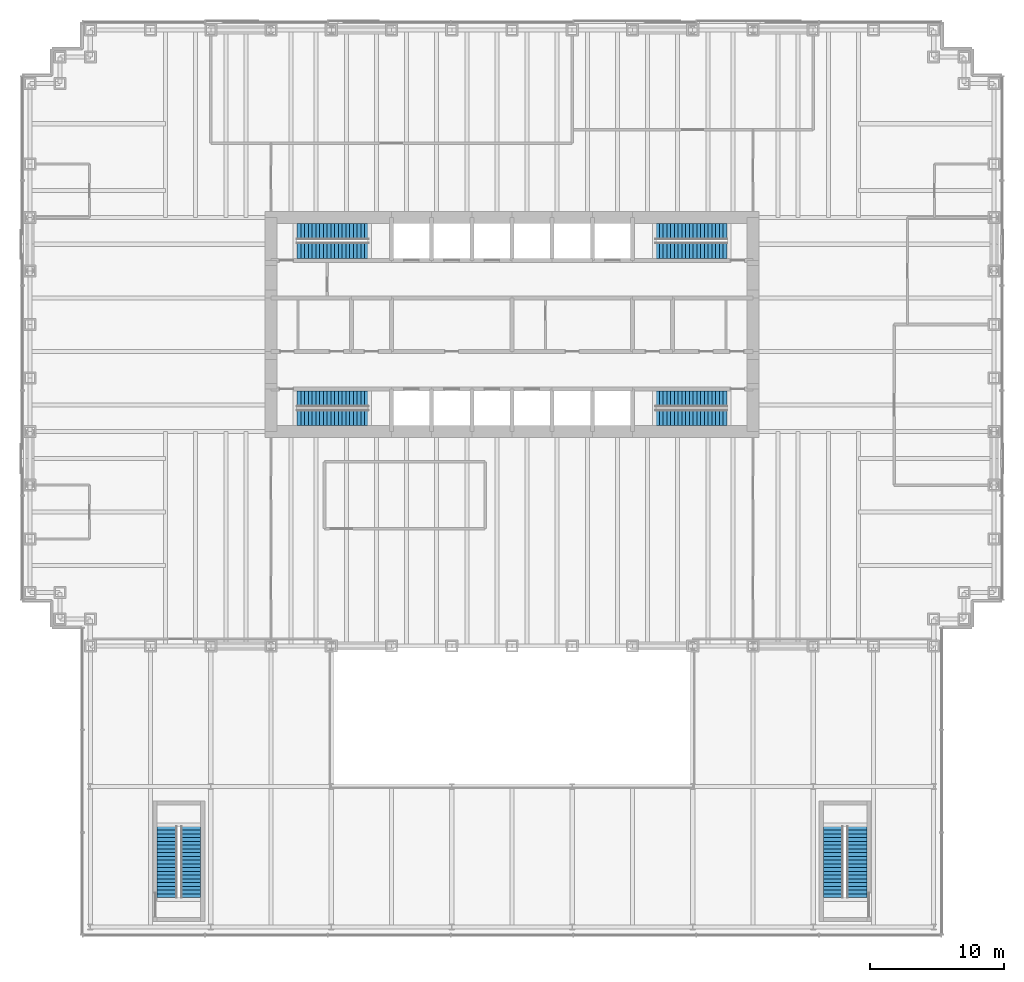
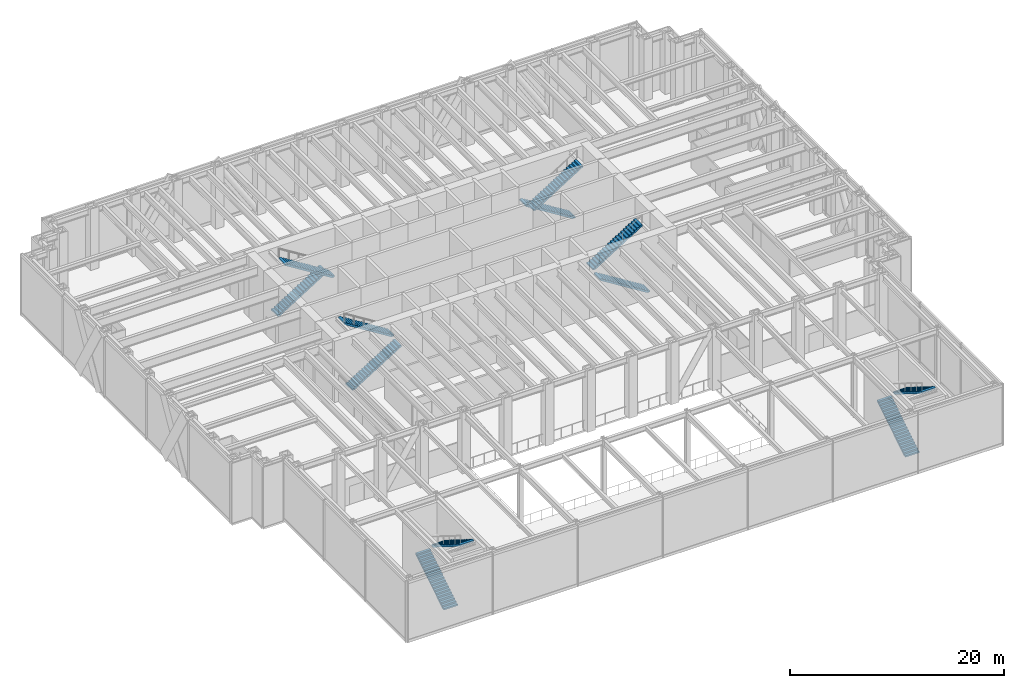
# One storey, part 16 of 17: 12 stair flights, 6 elements without a shape of their own.
"""IFC4 building model written with IfcOpenShell, lengths in metres."""

from ifc_helpers import new_model, si_unit, direction, frame, origin, place, context, subcontext, project, spatial, polyline, outline, extrude, material, type_object, element, aggregate, save


model = new_model("IFC4")

# Units and contexts
model_context = context("Model", 3, precision=1e-05, world=origin(), true_north=direction((0.0, 1.0)))
body_context = subcontext(model_context, "Body", "Model", "MODEL_VIEW")
ifc_project = project(units=[si_unit("LENGTHUNIT", "METRE"), si_unit("AREAUNIT", "SQUARE_METRE"), si_unit("VOLUMEUNIT", "CUBIC_METRE"), si_unit("PLANEANGLEUNIT", "RADIAN"), si_unit("MASSUNIT", "GRAM", prefix="KILO")], contexts=[model_context])

# Site, building, storey
site_placement = place(None, origin())
site = spatial("IfcSite", under=ifc_project, at=site_placement, CompositionType="ELEMENT")
building_placement = place(site_placement, origin())
building = spatial("IfcBuilding", under=site, at=building_placement, Name="Rheinbord Bourse Tower", CompositionType="ELEMENT")
storey_placement = place(building_placement, frame((0.0, 0.0, 6.0)))
storey = spatial("IfcBuildingStorey", under=building, at=storey_placement, Name="L01", CompositionType="ELEMENT", Elevation=6.0)

# Stair, stair flights
ifc_material_1 = material(Name="Concrete C30/37", Category="concrete")
stair_type_1 = type_object("IfcStairType", Name="CORE STAIR HALF TURN 7000", PredefinedType="HALF_TURN_STAIR", material=ifc_material_1)
stair_1_placement = place(storey_placement, origin())
stair_1 = element("IfcStair", 1, at=stair_1_placement, inside=storey, type_object=stair_type_1, Name="Stair ST1 L01, type CS2", PredefinedType="HALF_TURN_STAIR")
ifc_material_2 = material(Name="Concrete C30/37", Category="concrete")
stair_flight_type_1 = type_object("IfcStairFlightType", Name="CORE STAIR FLIGHT 1200, 20 RISERS", PredefinedType="STRAIGHT", material=ifc_material_2)
stair_flight_1_placement = place(storey_placement, frame((19.949951171875, 17.050048828125, 0.0), z_axis=(0.0, 0.0, 1.0), x_axis=(1.0, 0.0, 0.0)))
stair_flight_1 = element("IfcStairFlight", 2, at=stair_flight_1_placement, type_object=stair_flight_type_1, Name="STAIR L01 ST1 F1", NumberOfRisers=20, NumberOfTreads=19, PredefinedType="STRAIGHT", RiserHeight=0.175, TreadLength=0.28, context=body_context, shape_type="SweptSolid", body=[
    extrude(outline(polyline([(0.0, 0.0), (0.0, 0.175048828125), (0.280029296875, 0.175048828125), (0.280029296875, 0.35009765625), (0.56005859375, 0.35009765625), (0.56005859375, 0.52490234375), (0.840087890625, 0.52490234375), (0.840087890625, 0.699951171875), (1.1201171875, 0.699951171875), (1.1201171875, 0.875), (1.39990234375, 0.875), (1.39990234375, 1.050048828125), (1.679931640625, 1.050048828125), (1.679931640625, 1.22509765625), (1.9599609375, 1.22509765625), (1.9599609375, 1.39990234375), (2.239990234375, 1.39990234375), (2.239990234375, 1.574951171875), (2.52001953125, 1.574951171875), (2.52001953125, 1.75), (2.800048828125, 1.75), (2.800048828125, 1.925048828125), (3.080078125, 1.925048828125), (3.080078125, 2.10009765625), (3.360107421875, 2.10009765625), (3.360107421875, 2.27490234375), (3.639892578125, 2.27490234375), (3.639892578125, 2.449951171875), (3.919921875, 2.449951171875), (3.919921875, 2.625), (4.199951171875, 2.625), (4.199951171875, 2.800048828125), (4.47998046875, 2.800048828125), (4.47998046875, 2.97509765625), (4.760009765625, 2.97509765625), (4.760009765625, 3.14990234375), (5.0400390625, 3.14990234375), (5.0400390625, 3.324951171875), (5.320068359375, 3.324951171875), (5.320068359375, 3.5), (5.320068359375, 3.148193359375), (0.28271484375, 0.0), (0.0, 0.0)])), frame((0.0, 0.60009765625, 0.0), z_axis=(0.0, -1.0, 0.0), x_axis=(1.0, 0.0, 0.0)), (0.0, 0.0, 1.0), 1.199951171875),
])
stair_flight_2_placement = place(storey_placement, frame((25.27001953125, 18.449951171875, 3.5), z_axis=(0.0, 0.0, 1.0), x_axis=(-1.0, 0.0, 0.0)))
stair_flight_2 = element("IfcStairFlight", 3, at=stair_flight_2_placement, type_object=stair_flight_type_1, Name="STAIR L01 ST1 F2", NumberOfRisers=20, NumberOfTreads=19, PredefinedType="STRAIGHT", RiserHeight=0.175, TreadLength=0.28, context=body_context, shape_type="SweptSolid", body=[
    extrude(outline(polyline([(0.0, 0.0), (0.0, 0.175048828125), (0.280029296875, 0.175048828125), (0.280029296875, 0.35009765625), (0.56005859375, 0.35009765625), (0.56005859375, 0.52490234375), (0.840087890625, 0.52490234375), (0.840087890625, 0.699951171875), (1.1201171875, 0.699951171875), (1.1201171875, 0.875), (1.39990234375, 0.875), (1.39990234375, 1.050048828125), (1.679931640625, 1.050048828125), (1.679931640625, 1.22509765625), (1.9599609375, 1.22509765625), (1.9599609375, 1.39990234375), (2.239990234375, 1.39990234375), (2.239990234375, 1.574951171875), (2.52001953125, 1.574951171875), (2.52001953125, 1.75), (2.800048828125, 1.75), (2.800048828125, 1.925048828125), (3.080078125, 1.925048828125), (3.080078125, 2.10009765625), (3.360107421875, 2.10009765625), (3.360107421875, 2.27490234375), (3.639892578125, 2.27490234375), (3.639892578125, 2.449951171875), (3.919921875, 2.449951171875), (3.919921875, 2.625), (4.199951171875, 2.625), (4.199951171875, 2.800048828125), (4.47998046875, 2.800048828125), (4.47998046875, 2.97509765625), (4.760009765625, 2.97509765625), (4.760009765625, 3.14990234375), (5.0400390625, 3.14990234375), (5.0400390625, 3.324951171875), (5.320068359375, 3.324951171875), (5.320068359375, 3.5), (5.320068359375, 3.148193359375), (0.28271484375, 0.0), (0.0, 0.0)])), frame((0.0, 0.60009765625, 0.0), z_axis=(0.0, -1.0, 0.0), x_axis=(1.0, 0.0, 0.0)), (0.0, 0.0, 1.0), 1.199951171875),
])
aggregate(stair_1, [stair_flight_1, stair_flight_2])

stair_2_placement = place(storey_placement, origin())
stair_2 = element("IfcStair", 4, at=stair_2_placement, inside=storey, type_object=stair_type_1, Name="Stair ST2 L01, type CS2", PredefinedType="HALF_TURN_STAIR")
stair_flight_3_placement = place(storey_placement, frame((19.949951171875, 30.949951171875, 0.0), z_axis=(0.0, 0.0, 1.0), x_axis=(1.0, 0.0, 0.0)))
stair_flight_3 = element("IfcStairFlight", 5, at=stair_flight_3_placement, type_object=stair_flight_type_1, Name="STAIR L01 ST2 F1", NumberOfRisers=20, NumberOfTreads=19, PredefinedType="STRAIGHT", RiserHeight=0.175, TreadLength=0.28, context=body_context, shape_type="SweptSolid", body=[
    extrude(outline(polyline([(0.0, 0.0), (0.0, 0.175048828125), (0.280029296875, 0.175048828125), (0.280029296875, 0.35009765625), (0.56005859375, 0.35009765625), (0.56005859375, 0.52490234375), (0.840087890625, 0.52490234375), (0.840087890625, 0.699951171875), (1.1201171875, 0.699951171875), (1.1201171875, 0.875), (1.39990234375, 0.875), (1.39990234375, 1.050048828125), (1.679931640625, 1.050048828125), (1.679931640625, 1.22509765625), (1.9599609375, 1.22509765625), (1.9599609375, 1.39990234375), (2.239990234375, 1.39990234375), (2.239990234375, 1.574951171875), (2.52001953125, 1.574951171875), (2.52001953125, 1.75), (2.800048828125, 1.75), (2.800048828125, 1.925048828125), (3.080078125, 1.925048828125), (3.080078125, 2.10009765625), (3.360107421875, 2.10009765625), (3.360107421875, 2.27490234375), (3.639892578125, 2.27490234375), (3.639892578125, 2.449951171875), (3.919921875, 2.449951171875), (3.919921875, 2.625), (4.199951171875, 2.625), (4.199951171875, 2.800048828125), (4.47998046875, 2.800048828125), (4.47998046875, 2.97509765625), (4.760009765625, 2.97509765625), (4.760009765625, 3.14990234375), (5.0400390625, 3.14990234375), (5.0400390625, 3.324951171875), (5.320068359375, 3.324951171875), (5.320068359375, 3.5), (5.320068359375, 3.148193359375), (0.28271484375, 0.0), (0.0, 0.0)])), frame((0.0, 0.60009765625, 0.0), z_axis=(0.0, -1.0, 0.0), x_axis=(1.0, 0.0, 0.0)), (0.0, 0.0, 1.0), 1.199951171875),
])
stair_flight_4_placement = place(storey_placement, frame((25.27001953125, 29.550048828125, 3.5), z_axis=(0.0, 0.0, 1.0), x_axis=(-1.0, 0.0, 0.0)))
stair_flight_4 = element("IfcStairFlight", 6, at=stair_flight_4_placement, type_object=stair_flight_type_1, Name="STAIR L01 ST2 F2", NumberOfRisers=20, NumberOfTreads=19, PredefinedType="STRAIGHT", RiserHeight=0.175, TreadLength=0.28, context=body_context, shape_type="SweptSolid", body=[
    extrude(outline(polyline([(0.0, 0.0), (0.0, 0.175048828125), (0.280029296875, 0.175048828125), (0.280029296875, 0.35009765625), (0.56005859375, 0.35009765625), (0.56005859375, 0.52490234375), (0.840087890625, 0.52490234375), (0.840087890625, 0.699951171875), (1.1201171875, 0.699951171875), (1.1201171875, 0.875), (1.39990234375, 0.875), (1.39990234375, 1.050048828125), (1.679931640625, 1.050048828125), (1.679931640625, 1.22509765625), (1.9599609375, 1.22509765625), (1.9599609375, 1.39990234375), (2.239990234375, 1.39990234375), (2.239990234375, 1.574951171875), (2.52001953125, 1.574951171875), (2.52001953125, 1.75), (2.800048828125, 1.75), (2.800048828125, 1.925048828125), (3.080078125, 1.925048828125), (3.080078125, 2.10009765625), (3.360107421875, 2.10009765625), (3.360107421875, 2.27490234375), (3.639892578125, 2.27490234375), (3.639892578125, 2.449951171875), (3.919921875, 2.449951171875), (3.919921875, 2.625), (4.199951171875, 2.625), (4.199951171875, 2.800048828125), (4.47998046875, 2.800048828125), (4.47998046875, 2.97509765625), (4.760009765625, 2.97509765625), (4.760009765625, 3.14990234375), (5.0400390625, 3.14990234375), (5.0400390625, 3.324951171875), (5.320068359375, 3.324951171875), (5.320068359375, 3.5), (5.320068359375, 3.148193359375), (0.28271484375, 0.0), (0.0, 0.0)])), frame((0.0, 0.60009765625, 0.0), z_axis=(0.0, -1.0, 0.0), x_axis=(1.0, 0.0, 0.0)), (0.0, 0.0, 1.0), 1.199951171875),
])
aggregate(stair_2, [stair_flight_3, stair_flight_4])

stair_3_placement = place(storey_placement, origin())
stair_3 = element("IfcStair", 7, at=stair_3_placement, inside=storey, type_object=stair_type_1, Name="Stair ST3 L01, type CS2", PredefinedType="HALF_TURN_STAIR")
stair_flight_5_placement = place(storey_placement, frame((52.050048828125, 17.050048828125, 0.0), z_axis=(0.0, 0.0, 1.0), x_axis=(-1.0, 0.0, 0.0)))
stair_flight_5 = element("IfcStairFlight", 8, at=stair_flight_5_placement, type_object=stair_flight_type_1, Name="STAIR L01 ST3 F1", NumberOfRisers=20, NumberOfTreads=19, PredefinedType="STRAIGHT", RiserHeight=0.175, TreadLength=0.28, context=body_context, shape_type="SweptSolid", body=[
    extrude(outline(polyline([(0.0, 0.0), (0.0, 0.175048828125), (0.280029296875, 0.175048828125), (0.280029296875, 0.35009765625), (0.56005859375, 0.35009765625), (0.56005859375, 0.52490234375), (0.840087890625, 0.52490234375), (0.840087890625, 0.699951171875), (1.1201171875, 0.699951171875), (1.1201171875, 0.875), (1.39990234375, 0.875), (1.39990234375, 1.050048828125), (1.679931640625, 1.050048828125), (1.679931640625, 1.22509765625), (1.9599609375, 1.22509765625), (1.9599609375, 1.39990234375), (2.239990234375, 1.39990234375), (2.239990234375, 1.574951171875), (2.52001953125, 1.574951171875), (2.52001953125, 1.75), (2.800048828125, 1.75), (2.800048828125, 1.925048828125), (3.080078125, 1.925048828125), (3.080078125, 2.10009765625), (3.360107421875, 2.10009765625), (3.360107421875, 2.27490234375), (3.639892578125, 2.27490234375), (3.639892578125, 2.449951171875), (3.919921875, 2.449951171875), (3.919921875, 2.625), (4.199951171875, 2.625), (4.199951171875, 2.800048828125), (4.47998046875, 2.800048828125), (4.47998046875, 2.97509765625), (4.760009765625, 2.97509765625), (4.760009765625, 3.14990234375), (5.0400390625, 3.14990234375), (5.0400390625, 3.324951171875), (5.320068359375, 3.324951171875), (5.320068359375, 3.5), (5.320068359375, 3.148193359375), (0.28271484375, 0.0), (0.0, 0.0)])), frame((0.0, 0.60009765625, 0.0), z_axis=(0.0, -1.0, 0.0), x_axis=(1.0, 0.0, 0.0)), (0.0, 0.0, 1.0), 1.199951171875),
])
stair_flight_6_placement = place(storey_placement, frame((46.72998046875, 18.449951171875, 3.5), z_axis=(0.0, 0.0, 1.0), x_axis=(1.0, 0.0, 0.0)))
stair_flight_6 = element("IfcStairFlight", 9, at=stair_flight_6_placement, type_object=stair_flight_type_1, Name="STAIR L01 ST3 F2", NumberOfRisers=20, NumberOfTreads=19, PredefinedType="STRAIGHT", RiserHeight=0.175, TreadLength=0.28, context=body_context, shape_type="SweptSolid", body=[
    extrude(outline(polyline([(0.0, 0.0), (0.0, 0.175048828125), (0.280029296875, 0.175048828125), (0.280029296875, 0.35009765625), (0.56005859375, 0.35009765625), (0.56005859375, 0.52490234375), (0.840087890625, 0.52490234375), (0.840087890625, 0.699951171875), (1.1201171875, 0.699951171875), (1.1201171875, 0.875), (1.39990234375, 0.875), (1.39990234375, 1.050048828125), (1.679931640625, 1.050048828125), (1.679931640625, 1.22509765625), (1.9599609375, 1.22509765625), (1.9599609375, 1.39990234375), (2.239990234375, 1.39990234375), (2.239990234375, 1.574951171875), (2.52001953125, 1.574951171875), (2.52001953125, 1.75), (2.800048828125, 1.75), (2.800048828125, 1.925048828125), (3.080078125, 1.925048828125), (3.080078125, 2.10009765625), (3.360107421875, 2.10009765625), (3.360107421875, 2.27490234375), (3.639892578125, 2.27490234375), (3.639892578125, 2.449951171875), (3.919921875, 2.449951171875), (3.919921875, 2.625), (4.199951171875, 2.625), (4.199951171875, 2.800048828125), (4.47998046875, 2.800048828125), (4.47998046875, 2.97509765625), (4.760009765625, 2.97509765625), (4.760009765625, 3.14990234375), (5.0400390625, 3.14990234375), (5.0400390625, 3.324951171875), (5.320068359375, 3.324951171875), (5.320068359375, 3.5), (5.320068359375, 3.148193359375), (0.28271484375, 0.0), (0.0, 0.0)])), frame((0.0, 0.60009765625, 0.0), z_axis=(0.0, -1.0, 0.0), x_axis=(1.0, 0.0, 0.0)), (0.0, 0.0, 1.0), 1.199951171875),
])
aggregate(stair_3, [stair_flight_5, stair_flight_6])

stair_4_placement = place(storey_placement, origin())
stair_4 = element("IfcStair", 10, at=stair_4_placement, inside=storey, type_object=stair_type_1, Name="Stair ST4 L01, type CS2", PredefinedType="HALF_TURN_STAIR")
stair_flight_7_placement = place(storey_placement, frame((52.050048828125, 30.949951171875, 0.0), z_axis=(0.0, 0.0, 1.0), x_axis=(-1.0, 0.0, 0.0)))
stair_flight_7 = element("IfcStairFlight", 11, at=stair_flight_7_placement, type_object=stair_flight_type_1, Name="STAIR L01 ST4 F1", NumberOfRisers=20, NumberOfTreads=19, PredefinedType="STRAIGHT", RiserHeight=0.175, TreadLength=0.28, context=body_context, shape_type="SweptSolid", body=[
    extrude(outline(polyline([(0.0, 0.0), (0.0, 0.175048828125), (0.280029296875, 0.175048828125), (0.280029296875, 0.35009765625), (0.56005859375, 0.35009765625), (0.56005859375, 0.52490234375), (0.840087890625, 0.52490234375), (0.840087890625, 0.699951171875), (1.1201171875, 0.699951171875), (1.1201171875, 0.875), (1.39990234375, 0.875), (1.39990234375, 1.050048828125), (1.679931640625, 1.050048828125), (1.679931640625, 1.22509765625), (1.9599609375, 1.22509765625), (1.9599609375, 1.39990234375), (2.239990234375, 1.39990234375), (2.239990234375, 1.574951171875), (2.52001953125, 1.574951171875), (2.52001953125, 1.75), (2.800048828125, 1.75), (2.800048828125, 1.925048828125), (3.080078125, 1.925048828125), (3.080078125, 2.10009765625), (3.360107421875, 2.10009765625), (3.360107421875, 2.27490234375), (3.639892578125, 2.27490234375), (3.639892578125, 2.449951171875), (3.919921875, 2.449951171875), (3.919921875, 2.625), (4.199951171875, 2.625), (4.199951171875, 2.800048828125), (4.47998046875, 2.800048828125), (4.47998046875, 2.97509765625), (4.760009765625, 2.97509765625), (4.760009765625, 3.14990234375), (5.0400390625, 3.14990234375), (5.0400390625, 3.324951171875), (5.320068359375, 3.324951171875), (5.320068359375, 3.5), (5.320068359375, 3.148193359375), (0.28271484375, 0.0), (0.0, 0.0)])), frame((0.0, 0.60009765625, 0.0), z_axis=(0.0, -1.0, 0.0), x_axis=(1.0, 0.0, 0.0)), (0.0, 0.0, 1.0), 1.199951171875),
])
stair_flight_8_placement = place(storey_placement, frame((46.72998046875, 29.550048828125, 3.5), z_axis=(0.0, 0.0, 1.0), x_axis=(1.0, 0.0, 0.0)))
stair_flight_8 = element("IfcStairFlight", 12, at=stair_flight_8_placement, type_object=stair_flight_type_1, Name="STAIR L01 ST4 F2", NumberOfRisers=20, NumberOfTreads=19, PredefinedType="STRAIGHT", RiserHeight=0.175, TreadLength=0.28, context=body_context, shape_type="SweptSolid", body=[
    extrude(outline(polyline([(0.0, 0.0), (0.0, 0.175048828125), (0.280029296875, 0.175048828125), (0.280029296875, 0.35009765625), (0.56005859375, 0.35009765625), (0.56005859375, 0.52490234375), (0.840087890625, 0.52490234375), (0.840087890625, 0.699951171875), (1.1201171875, 0.699951171875), (1.1201171875, 0.875), (1.39990234375, 0.875), (1.39990234375, 1.050048828125), (1.679931640625, 1.050048828125), (1.679931640625, 1.22509765625), (1.9599609375, 1.22509765625), (1.9599609375, 1.39990234375), (2.239990234375, 1.39990234375), (2.239990234375, 1.574951171875), (2.52001953125, 1.574951171875), (2.52001953125, 1.75), (2.800048828125, 1.75), (2.800048828125, 1.925048828125), (3.080078125, 1.925048828125), (3.080078125, 2.10009765625), (3.360107421875, 2.10009765625), (3.360107421875, 2.27490234375), (3.639892578125, 2.27490234375), (3.639892578125, 2.449951171875), (3.919921875, 2.449951171875), (3.919921875, 2.625), (4.199951171875, 2.625), (4.199951171875, 2.800048828125), (4.47998046875, 2.800048828125), (4.47998046875, 2.97509765625), (4.760009765625, 2.97509765625), (4.760009765625, 3.14990234375), (5.0400390625, 3.14990234375), (5.0400390625, 3.324951171875), (5.320068359375, 3.324951171875), (5.320068359375, 3.5), (5.320068359375, 3.148193359375), (0.28271484375, 0.0), (0.0, 0.0)])), frame((0.0, 0.60009765625, 0.0), z_axis=(0.0, -1.0, 0.0), x_axis=(1.0, 0.0, 0.0)), (0.0, 0.0, 1.0), 1.199951171875),
])
aggregate(stair_4, [stair_flight_7, stair_flight_8])

ifc_material_3 = material(Name="Concrete C30/37", Category="concrete")
stair_type_2 = type_object("IfcStairType", Name="PODIUM STAIR HALF TURN", PredefinedType="HALF_TURN_STAIR", material=ifc_material_3)
stair_5_placement = place(storey_placement, origin())
stair_5 = element("IfcStair", 13, at=stair_5_placement, inside=storey, type_object=stair_type_2, Name="Stair ST5 L01, type PS1", PredefinedType="HALF_TURN_STAIR")
ifc_material_4 = material(Name="Concrete C30/37", Category="concrete")
stair_flight_type_2 = type_object("IfcStairFlightType", Name="PODIUM STAIR FLIGHT 1500", PredefinedType="STRAIGHT", material=ifc_material_4)
stair_flight_9_placement = place(storey_placement, frame((10.25, -18.800048828125, 0.0), z_axis=(0.0, 0.0, 1.0), x_axis=(0.0, 1.0, 0.0)))
stair_flight_9 = element("IfcStairFlight", 14, at=stair_flight_9_placement, type_object=stair_flight_type_2, Name="STAIR L01 ST5 F1", NumberOfRisers=20, NumberOfTreads=19, PredefinedType="STRAIGHT", RiserHeight=0.175, TreadLength=0.28, context=body_context, shape_type="SweptSolid", body=[
    extrude(outline(polyline([(0.0, 0.0), (0.0, 0.175048828125), (0.280029296875, 0.175048828125), (0.280029296875, 0.35009765625), (0.56005859375, 0.35009765625), (0.56005859375, 0.52490234375), (0.840087890625, 0.52490234375), (0.840087890625, 0.699951171875), (1.1201171875, 0.699951171875), (1.1201171875, 0.875), (1.39990234375, 0.875), (1.39990234375, 1.050048828125), (1.679931640625, 1.050048828125), (1.679931640625, 1.22509765625), (1.9599609375, 1.22509765625), (1.9599609375, 1.39990234375), (2.239990234375, 1.39990234375), (2.239990234375, 1.574951171875), (2.52001953125, 1.574951171875), (2.52001953125, 1.75), (2.800048828125, 1.75), (2.800048828125, 1.925048828125), (3.080078125, 1.925048828125), (3.080078125, 2.10009765625), (3.360107421875, 2.10009765625), (3.360107421875, 2.27490234375), (3.639892578125, 2.27490234375), (3.639892578125, 2.449951171875), (3.919921875, 2.449951171875), (3.919921875, 2.625), (4.199951171875, 2.625), (4.199951171875, 2.800048828125), (4.47998046875, 2.800048828125), (4.47998046875, 2.97509765625), (4.760009765625, 2.97509765625), (4.760009765625, 3.14990234375), (5.0400390625, 3.14990234375), (5.0400390625, 3.324951171875), (5.320068359375, 3.324951171875), (5.320068359375, 3.5), (5.320068359375, 3.148193359375), (0.28271484375, 0.0), (0.0, 0.0)])), frame((0.0, 0.75, 0.0), z_axis=(0.0, -1.0, 0.0), x_axis=(1.0, 0.0, 0.0)), (0.0, 0.0, 1.0), 1.5),
])
stair_flight_10_placement = place(storey_placement, frame((12.0, -13.47998046875, 3.5), z_axis=(0.0, 0.0, 1.0), x_axis=(0.0, -1.0, 0.0)))
stair_flight_10 = element("IfcStairFlight", 15, at=stair_flight_10_placement, type_object=stair_flight_type_2, Name="STAIR L01 ST5 F2", NumberOfRisers=20, NumberOfTreads=19, PredefinedType="STRAIGHT", RiserHeight=0.175, TreadLength=0.28, context=body_context, shape_type="SweptSolid", body=[
    extrude(outline(polyline([(0.0, 0.0), (0.0, 0.175048828125), (0.280029296875, 0.175048828125), (0.280029296875, 0.35009765625), (0.56005859375, 0.35009765625), (0.56005859375, 0.52490234375), (0.840087890625, 0.52490234375), (0.840087890625, 0.699951171875), (1.1201171875, 0.699951171875), (1.1201171875, 0.875), (1.39990234375, 0.875), (1.39990234375, 1.050048828125), (1.679931640625, 1.050048828125), (1.679931640625, 1.22509765625), (1.9599609375, 1.22509765625), (1.9599609375, 1.39990234375), (2.239990234375, 1.39990234375), (2.239990234375, 1.574951171875), (2.52001953125, 1.574951171875), (2.52001953125, 1.75), (2.800048828125, 1.75), (2.800048828125, 1.925048828125), (3.080078125, 1.925048828125), (3.080078125, 2.10009765625), (3.360107421875, 2.10009765625), (3.360107421875, 2.27490234375), (3.639892578125, 2.27490234375), (3.639892578125, 2.449951171875), (3.919921875, 2.449951171875), (3.919921875, 2.625), (4.199951171875, 2.625), (4.199951171875, 2.800048828125), (4.47998046875, 2.800048828125), (4.47998046875, 2.97509765625), (4.760009765625, 2.97509765625), (4.760009765625, 3.14990234375), (5.0400390625, 3.14990234375), (5.0400390625, 3.324951171875), (5.320068359375, 3.324951171875), (5.320068359375, 3.5), (5.320068359375, 3.148193359375), (0.28271484375, 0.0), (0.0, 0.0)])), frame((0.0, 0.75, 0.0), z_axis=(0.0, -1.0, 0.0), x_axis=(1.0, 0.0, 0.0)), (0.0, 0.0, 1.0), 1.5),
])
aggregate(stair_5, [stair_flight_9, stair_flight_10])

stair_6_placement = place(storey_placement, origin())
stair_6 = element("IfcStair", 16, at=stair_6_placement, inside=storey, type_object=stair_type_2, Name="Stair ST6 L01, type PS1", PredefinedType="HALF_TURN_STAIR")
stair_flight_11_placement = place(storey_placement, frame((60.0, -18.800048828125, 0.0), z_axis=(0.0, 0.0, 1.0), x_axis=(0.0, 1.0, 0.0)))
stair_flight_11 = element("IfcStairFlight", 17, at=stair_flight_11_placement, type_object=stair_flight_type_2, Name="STAIR L01 ST6 F1", NumberOfRisers=20, NumberOfTreads=19, PredefinedType="STRAIGHT", RiserHeight=0.175, TreadLength=0.28, context=body_context, shape_type="SweptSolid", body=[
    extrude(outline(polyline([(0.0, 0.0), (0.0, 0.175048828125), (0.280029296875, 0.175048828125), (0.280029296875, 0.35009765625), (0.56005859375, 0.35009765625), (0.56005859375, 0.52490234375), (0.840087890625, 0.52490234375), (0.840087890625, 0.699951171875), (1.1201171875, 0.699951171875), (1.1201171875, 0.875), (1.39990234375, 0.875), (1.39990234375, 1.050048828125), (1.679931640625, 1.050048828125), (1.679931640625, 1.22509765625), (1.9599609375, 1.22509765625), (1.9599609375, 1.39990234375), (2.239990234375, 1.39990234375), (2.239990234375, 1.574951171875), (2.52001953125, 1.574951171875), (2.52001953125, 1.75), (2.800048828125, 1.75), (2.800048828125, 1.925048828125), (3.080078125, 1.925048828125), (3.080078125, 2.10009765625), (3.360107421875, 2.10009765625), (3.360107421875, 2.27490234375), (3.639892578125, 2.27490234375), (3.639892578125, 2.449951171875), (3.919921875, 2.449951171875), (3.919921875, 2.625), (4.199951171875, 2.625), (4.199951171875, 2.800048828125), (4.47998046875, 2.800048828125), (4.47998046875, 2.97509765625), (4.760009765625, 2.97509765625), (4.760009765625, 3.14990234375), (5.0400390625, 3.14990234375), (5.0400390625, 3.324951171875), (5.320068359375, 3.324951171875), (5.320068359375, 3.5), (5.320068359375, 3.148193359375), (0.28271484375, 0.0), (0.0, 0.0)])), frame((0.0, 0.75, 0.0), z_axis=(0.0, -1.0, 0.0), x_axis=(1.0, 0.0, 0.0)), (0.0, 0.0, 1.0), 1.5),
])
stair_flight_12_placement = place(storey_placement, frame((61.75, -13.47998046875, 3.5), z_axis=(0.0, 0.0, 1.0), x_axis=(0.0, -1.0, 0.0)))
stair_flight_12 = element("IfcStairFlight", 18, at=stair_flight_12_placement, type_object=stair_flight_type_2, Name="STAIR L01 ST6 F2", NumberOfRisers=20, NumberOfTreads=19, PredefinedType="STRAIGHT", RiserHeight=0.175, TreadLength=0.28, context=body_context, shape_type="SweptSolid", body=[
    extrude(outline(polyline([(0.0, 0.0), (0.0, 0.175048828125), (0.280029296875, 0.175048828125), (0.280029296875, 0.35009765625), (0.56005859375, 0.35009765625), (0.56005859375, 0.52490234375), (0.840087890625, 0.52490234375), (0.840087890625, 0.699951171875), (1.1201171875, 0.699951171875), (1.1201171875, 0.875), (1.39990234375, 0.875), (1.39990234375, 1.050048828125), (1.679931640625, 1.050048828125), (1.679931640625, 1.22509765625), (1.9599609375, 1.22509765625), (1.9599609375, 1.39990234375), (2.239990234375, 1.39990234375), (2.239990234375, 1.574951171875), (2.52001953125, 1.574951171875), (2.52001953125, 1.75), (2.800048828125, 1.75), (2.800048828125, 1.925048828125), (3.080078125, 1.925048828125), (3.080078125, 2.10009765625), (3.360107421875, 2.10009765625), (3.360107421875, 2.27490234375), (3.639892578125, 2.27490234375), (3.639892578125, 2.449951171875), (3.919921875, 2.449951171875), (3.919921875, 2.625), (4.199951171875, 2.625), (4.199951171875, 2.800048828125), (4.47998046875, 2.800048828125), (4.47998046875, 2.97509765625), (4.760009765625, 2.97509765625), (4.760009765625, 3.14990234375), (5.0400390625, 3.14990234375), (5.0400390625, 3.324951171875), (5.320068359375, 3.324951171875), (5.320068359375, 3.5), (5.320068359375, 3.148193359375), (0.28271484375, 0.0), (0.0, 0.0)])), frame((0.0, 0.75, 0.0), z_axis=(0.0, -1.0, 0.0), x_axis=(1.0, 0.0, 0.0)), (0.0, 0.0, 1.0), 1.5),
])
aggregate(stair_6, [stair_flight_11, stair_flight_12])

save(model, "model.ifc")
